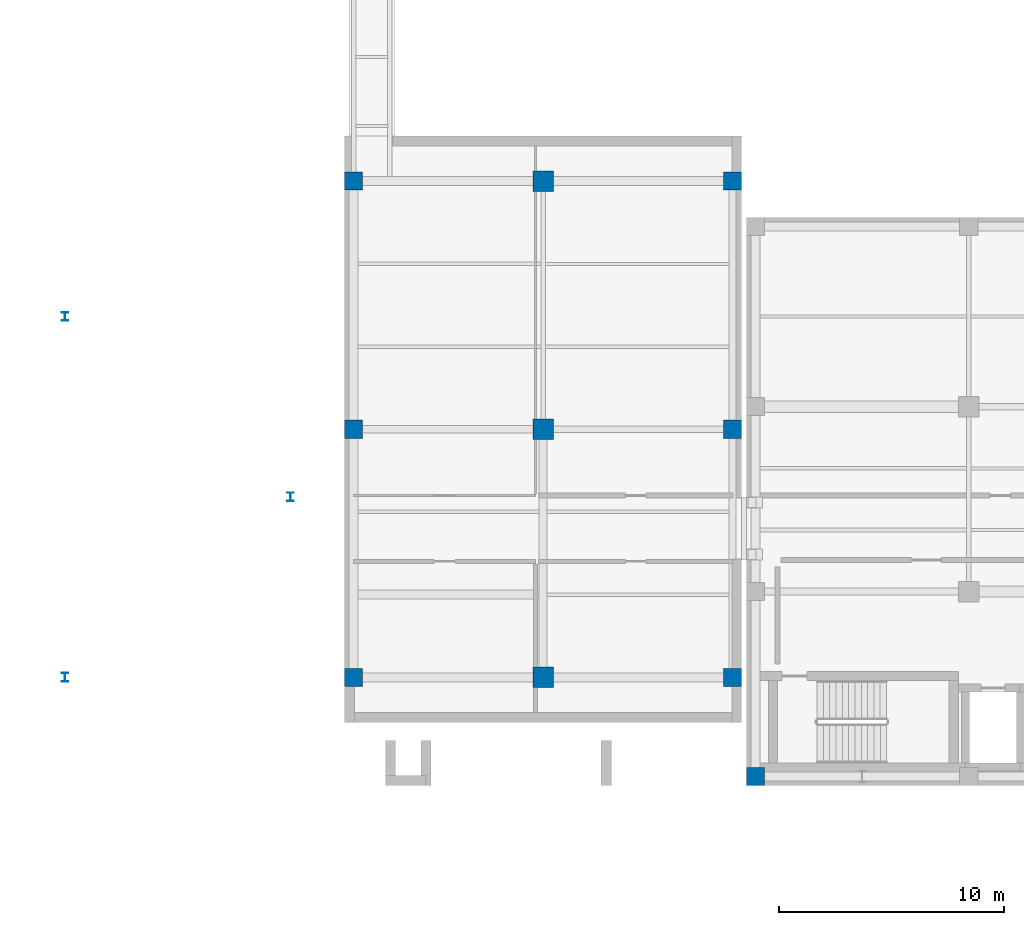
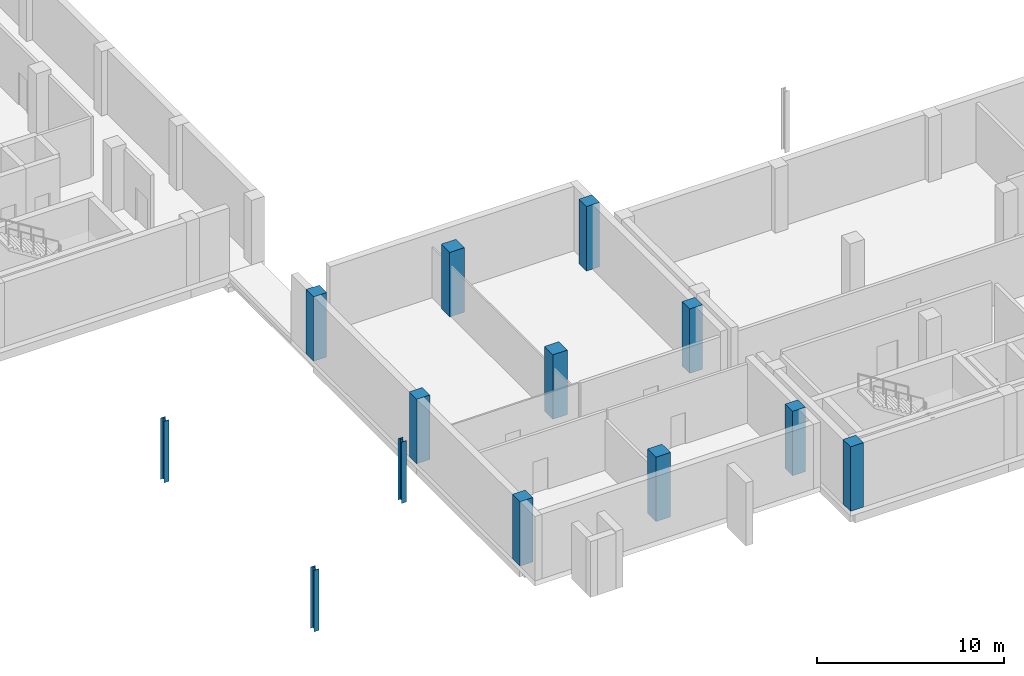
# One storey, part 1 of 31: 13 columns.
"""IFC4 building model written with IfcOpenShell, lengths in metres."""

import ifcopenshell
import ifcopenshell.guid

model = None  # the IFC model being written
_history = None  # IfcOwnerHistory: only IFC2X3 demands one
_inside = {}  # id of a spatial element -> (the spatial element, [elements in it])
_under = {}  # id of a project, library or spatial element -> (it, [spatial elements below it])
_declared = {}  # id of a project -> (the project, [libraries it declares])
_typed = {}  # id of a type object -> (the type object, [elements of that type])
_made_of = {}  # id of a material, layer set ... -> (it, [elements and type objects made of it])


def new_model(schema):
    """Start an empty IFC model of exactly this schema.

    Asked for "IFC4X3", IfcOpenShell would pick the latest addendum, in which some entities
    have other attributes; the version numbers below select the first issue.
    IFC2X3 requires an IfcOwnerHistory on every rooted entity: one is made here for all.
    """
    global model, _history
    if schema == "IFC4X3":
        model = ifcopenshell.file(schema_version=(4, 3, 0, 0))
    else:
        model = ifcopenshell.file(schema=schema)
    _inside.clear()
    _under.clear()
    _declared.clear()
    _typed.clear()
    _made_of.clear()
    _history = None
    if model.schema == "IFC2X3":
        org = make("IfcOrganization", Name="unknown")
        user = make(
            "IfcPersonAndOrganization",
            ThePerson=make("IfcPerson", FamilyName="unknown"),
            TheOrganization=org,
        )
        app = make(
            "IfcApplication",
            ApplicationDeveloper=org,
            Version="unknown",
            ApplicationFullName="unknown",
            ApplicationIdentifier="unknown",
        )
        _history = make(
            "IfcOwnerHistory",
            OwningUser=user,
            OwningApplication=app,
            ChangeAction="ADDED",
            CreationDate=0,
        )
    return model


def make(cls, **values):
    """One entity of the class cls with the attributes given. An attribute that is None is left unset."""
    return model.create_entity(
        cls, **{name: value for name, value in values.items() if value is not None}
    )


def rooted(cls, **values):
    """An entity with a GlobalId (a new one), such as an element, a storey or a relation."""
    return make(cls, GlobalId=ifcopenshell.guid.new(), OwnerHistory=_history, **values)


def si_unit(unit_type, name, prefix=None):
    """IfcSIUnit, for example si_unit("LENGTHUNIT", "METRE", prefix="MILLI")."""
    return make("IfcSIUnit", UnitType=unit_type, Prefix=prefix, Name=name)


def assignment(units):
    """IfcUnitAssignment: the units of a project."""
    return None if units is None else make("IfcUnitAssignment", Units=units)


def point(xyz):
    """IfcCartesianPoint."""
    return None if xyz is None else make("IfcCartesianPoint", Coordinates=xyz)


def direction(xyz):
    """IfcDirection."""
    return None if xyz is None else make("IfcDirection", DirectionRatios=xyz)


def frame(location, z_axis=None, x_axis=None):
    """IfcAxis2Placement3D, a coordinate frame: its origin and axes. An axis left out is left unset."""
    return make(
        "IfcAxis2Placement3D",
        Location=point(location),
        Axis=direction(z_axis),
        RefDirection=direction(x_axis),
    )


def frame_2d(location, x_axis=None):
    """IfcAxis2Placement2D, a coordinate frame in the plane: its origin and x axis."""
    return make(
        "IfcAxis2Placement2D", Location=point(location), RefDirection=direction(x_axis)
    )


def origin():
    """The frame at (0, 0, 0) with its axes left unset."""
    return frame((0.0, 0.0, 0.0))


def origin_2d():
    """The frame at (0, 0) in the plane with its x axis left unset."""
    return frame_2d((0.0, 0.0))


def place(relative_to, where):
    """IfcLocalPlacement: puts the frame where relative to a parent placement (None: the world)."""
    return make(
        "IfcLocalPlacement", PlacementRelTo=relative_to, RelativePlacement=where
    )


def context(
    kind, dimensions, precision=None, world=None, true_north=None, identifier=None
):
    """IfcGeometricRepresentationContext, for example the 3D "Model" context."""
    return make(
        "IfcGeometricRepresentationContext",
        ContextIdentifier=identifier,
        ContextType=kind,
        CoordinateSpaceDimension=dimensions,
        Precision=precision,
        WorldCoordinateSystem=world,
        TrueNorth=true_north,
    )


def subcontext(parent, identifier, kind, view, scale=None):
    """IfcGeometricRepresentationSubContext, for example "Body" below "Model"."""
    return make(
        "IfcGeometricRepresentationSubContext",
        ContextIdentifier=identifier,
        ContextType=kind,
        ParentContext=parent,
        TargetScale=scale,
        TargetView=view,
    )


def project(units=None, contexts=None):
    """IfcProject with its units and contexts."""
    return rooted(
        "IfcProject",
        Name="project",
        RepresentationContexts=contexts,
        UnitsInContext=assignment(units),
    )


def spatial(cls, under=None, at=None, **own):
    """A site, building, storey or space (cls), placed at a placement, below another one or the project."""
    s = rooted(cls, ObjectPlacement=at, **own)
    if under is not None:
        _under.setdefault(under.id(), (under, []))[1].append(s)
    return s


def profile(cls, at=None, kind="AREA", **sizes):
    """A parametric profile (cls). Its sizes go by their IFC names, for example OverallWidth=200.0."""
    return make(cls, ProfileType=kind, Position=at, **sizes)


def rectangle(**sizes):
    """IfcRectangleProfileDef."""
    return profile("IfcRectangleProfileDef", **sizes)


def i_section(**sizes):
    """IfcIShapeProfileDef."""
    return profile("IfcIShapeProfileDef", **sizes)


def extrude(swept, where, along, depth):
    """IfcExtrudedAreaSolid: the profile swept, set in the frame where, extruded along a direction by depth."""
    return make(
        "IfcExtrudedAreaSolid",
        SweptArea=swept,
        Position=where,
        ExtrudedDirection=direction(along),
        Depth=depth,
    )


def shape(context_of_items, identifier, shape_type, items):
    """IfcShapeRepresentation: the items that make up one representation, for example the "Body"."""
    return make(
        "IfcShapeRepresentation",
        ContextOfItems=context_of_items,
        RepresentationIdentifier=identifier,
        RepresentationType=shape_type,
        Items=items,
    )


def material(Name=None, Category=None):
    """IfcMaterial."""
    return make("IfcMaterial", Name=Name, Category=Category)


def material_profile(
    of_material, cross_section, Name=None, Category=None, Priority=None
):
    """IfcMaterialProfile: a cross section and its material."""
    return make(
        "IfcMaterialProfile",
        Name=Name,
        Material=of_material,
        Profile=cross_section,
        Priority=Priority,
        Category=Category,
    )


def profile_set(profiles, Name=None, composite=None):
    """IfcMaterialProfileSet."""
    return make(
        "IfcMaterialProfileSet",
        Name=Name,
        MaterialProfiles=profiles,
        CompositeProfile=composite,
    )


def made_of(thing, what):
    """Note that an element or type object is made of a material, layer set ...; save() writes the relation."""
    if what is not None:
        _made_of.setdefault(what.id(), (what, []))[1].append(thing)
    return thing


def type_object(cls, material=None, **own):
    """A type object (cls), such as IfcWallType, which elements share."""
    return made_of(rooted(cls, **own), material)


def element(
    cls,
    number,
    at=None,
    inside=None,
    cuts=None,
    type_object=None,
    material=None,
    context=None,
    identifier="Body",
    shape_type=None,
    held_by="IfcProductDefinitionShape",
    body=None,
    shapes=None,
    **own,
):
    """One element of the class cls, such as IfcWall. Its Tag is "e" and its number.

    at: its placement. inside: the storey or other place that contains it. cuts: it is an
    opening in that element (IfcRelVoidsElement). A single representation is given by context,
    identifier, shape_type and body (its items); several are given by shapes. held_by: the class
    of the entity that holds the representations. save() writes the other relations.
    """
    e = rooted(cls, Tag="e%d" % number, ObjectPlacement=at, **own)
    if body is not None:
        shapes = [shape(context, identifier, shape_type, body)]
    if shapes is not None:
        e.Representation = make(held_by, Representations=shapes)
    if inside is not None:
        _inside.setdefault(inside.id(), (inside, []))[1].append(e)
    if cuts is not None:
        rooted(
            "IfcRelVoidsElement", RelatingBuildingElement=cuts, RelatedOpeningElement=e
        )
    if type_object is not None:
        _typed.setdefault(type_object.id(), (type_object, []))[1].append(e)
    return made_of(e, material)


def aggregate(whole, parts):
    """IfcRelAggregates: a whole, such as a stair, and the parts it consists of."""
    return rooted("IfcRelAggregates", RelatingObject=whole, RelatedObjects=parts)


def save(model, path):
    """Write the relations noted so far, then the file.

    IfcRelAggregates (storeys below a building ...), IfcRelContainedInSpatialStructure (elements
    in a storey), IfcRelDefinesByType, IfcRelAssociatesMaterial and IfcRelDeclares: one each for
    every whole, place, type object, material and project.
    """
    for whole, parts in _under.values():
        aggregate(whole, parts)
    for where, things in _inside.values():
        rooted(
            "IfcRelContainedInSpatialStructure",
            RelatedElements=things,
            RelatingStructure=where,
        )
    for kind, things in _typed.values():
        rooted("IfcRelDefinesByType", RelatedObjects=things, RelatingType=kind)
    for what, things in _made_of.values():
        rooted("IfcRelAssociatesMaterial", RelatedObjects=things, RelatingMaterial=what)
    for by, libraries in _declared.values():
        rooted("IfcRelDeclares", RelatingContext=by, RelatedDefinitions=libraries)
    model.write(path)


model = new_model("IFC4")

# Units and contexts
model_context = context("Model", 3, precision=1e-05, world=origin(), true_north=direction((0.0, 1.0)))
body_context = subcontext(model_context, "Body", "Model", "MODEL_VIEW")
ifc_project = project(units=[si_unit("LENGTHUNIT", "METRE"), si_unit("AREAUNIT", "SQUARE_METRE"), si_unit("VOLUMEUNIT", "CUBIC_METRE"), si_unit("PLANEANGLEUNIT", "RADIAN"), si_unit("MASSUNIT", "GRAM", prefix="KILO")], contexts=[model_context])

# Site, building, storey
site_placement = place(None, origin())
site = spatial("IfcSite", under=ifc_project, at=site_placement, CompositionType="ELEMENT")
building_placement = place(site_placement, origin())
building = spatial("IfcBuilding", under=site, at=building_placement, Name="Qalavern Law Courts", CompositionType="ELEMENT")
storey_placement = place(building_placement, frame((0.0, 0.0, -4.199951171875)))
storey = spatial("IfcBuildingStorey", under=building, at=storey_placement, Name="B1", CompositionType="ELEMENT", Elevation=-4.199951171875)

# Columns
ifc_material_1 = material(Name="Steel S355", Category="steel")
ifc_material_profile_1 = material_profile(ifc_material_1, i_section(OverallWidth=0.300048828125, OverallDepth=0.389892578125, WebThickness=0.010986328125, FlangeThickness=0.01904296875, FilletRadius=0.027099609375, at=origin_2d()), Name="HEA 400")
ifc_profile_set_1 = profile_set([ifc_material_profile_1], Name="Steel S355")
column_type_1 = type_object("IfcColumnType", Name="STR-COL-HEA400", PredefinedType="COLUMN", material=ifc_profile_set_1)
for number, where, z_axis, x_axis, name in (
    (1, (4.0, 10.0, 0.0), (0.0, 0.0, 1.0), (1.0, 0.0, 0.0), "Plaza apron substructure column 01 B1"),
    (2, (4.0, 26.0, 0.0), (0.0, 0.0, 1.0), (1.0, 0.0, 0.0), "Plaza apron substructure column 02 B1"),
    (3, (14.0, 18.0, 0.0), (0.0, 0.0, 1.0), (1.0, 0.0, 0.0), "Plaza apron substructure column 03 B1"),
):
    element("IfcColumn", number, at=place(storey_placement, frame(where, z_axis=z_axis, x_axis=x_axis)), inside=storey, type_object=column_type_1, Name=name, PredefinedType="COLUMN", context=body_context, shape_type="SweptSolid", body=[
        extrude(i_section(OverallWidth=0.300048828125, OverallDepth=0.389892578125, WebThickness=0.010986328125, FlangeThickness=0.01904296875, FilletRadius=0.027099609375, at=origin_2d()), origin(), (0.0, 0.0, 1.0), 3.994873046875),
    ])
ifc_material_2 = material(Name="Concrete C45/55", Category="concrete")
ifc_material_profile_2 = material_profile(ifc_material_2, rectangle(XDim=0.800048828125, YDim=0.800048828125, at=origin_2d()), Name="RC 800x800")
ifc_profile_set_2 = profile_set([ifc_material_profile_2], Name="Concrete C45/55")
column_type_2 = type_object("IfcColumnType", Name="STR-COL-RC800E", PredefinedType="COLUMN", material=ifc_profile_set_2)
for number, where, z_axis, x_axis, name in (
    (4, (16.800048828125, 10.0, 0.0), (0.0, 0.0, 1.0), (1.0, 0.0, 0.0), "V1 column 1-1 B1"),
    (5, (16.800048828125, 21.0, 0.0), (0.0, 0.0, 1.0), (1.0, 0.0, 0.0), "V1 column 1-2 B1"),
    (6, (16.800048828125, 32.0, 0.0), (0.0, 0.0, 1.0), (1.0, 0.0, 0.0), "V1 column 1-3 B1"),
    (7, (33.60009765625, 10.0, 0.0), (0.0, 0.0, 1.0), (1.0, 0.0, 0.0), "V1 column 3-1 B1"),
    (8, (33.60009765625, 21.0, 0.0), (0.0, 0.0, 1.0), (1.0, 0.0, 0.0), "V1 column 3-2 B1"),
    (9, (33.60009765625, 32.0, 0.0), (0.0, 0.0, 1.0), (1.0, 0.0, 0.0), "V1 column 3-3 B1"),
    (10, (34.6201171875, 5.60009765625, 0.0), (0.0, 0.0, 1.0), (1.0, 0.0, 0.0), "V2 column 1-1 B1"),
):
    element("IfcColumn", number, at=place(storey_placement, frame(where, z_axis=z_axis, x_axis=x_axis)), inside=storey, type_object=column_type_2, Name=name, PredefinedType="COLUMN", context=body_context, shape_type="SweptSolid", body=[
        extrude(rectangle(XDim=0.800048828125, YDim=0.800048828125, at=origin_2d()), origin(), (0.0, 0.0, 1.0), 4.199951171875),
    ])
ifc_material_profile_3 = material_profile(ifc_material_2, rectangle(XDim=0.89990234375, YDim=0.89990234375, at=origin_2d()), Name="RC 900x900")
ifc_profile_set_3 = profile_set([ifc_material_profile_3], Name="Concrete C45/55")
column_type_3 = type_object("IfcColumnType", Name="STR-COL-RC900", PredefinedType="COLUMN", material=ifc_profile_set_3)
for number, where, z_axis, x_axis, name in (
    (11, (25.199951171875, 10.0, 0.0), (0.0, 0.0, 1.0), (1.0, 0.0, 0.0), "V1 column 2-1 B1"),
    (12, (25.199951171875, 21.0, 0.0), (0.0, 0.0, 1.0), (1.0, 0.0, 0.0), "V1 column 2-2 B1"),
    (13, (25.199951171875, 32.0, 0.0), (0.0, 0.0, 1.0), (1.0, 0.0, 0.0), "V1 column 2-3 B1"),
):
    element("IfcColumn", number, at=place(storey_placement, frame(where, z_axis=z_axis, x_axis=x_axis)), inside=storey, type_object=column_type_3, Name=name, PredefinedType="COLUMN", context=body_context, shape_type="SweptSolid", body=[
        extrude(rectangle(XDim=0.89990234375, YDim=0.89990234375, at=origin_2d()), origin(), (0.0, 0.0, 1.0), 4.199951171875),
    ])

save(model, "model.ifc")
